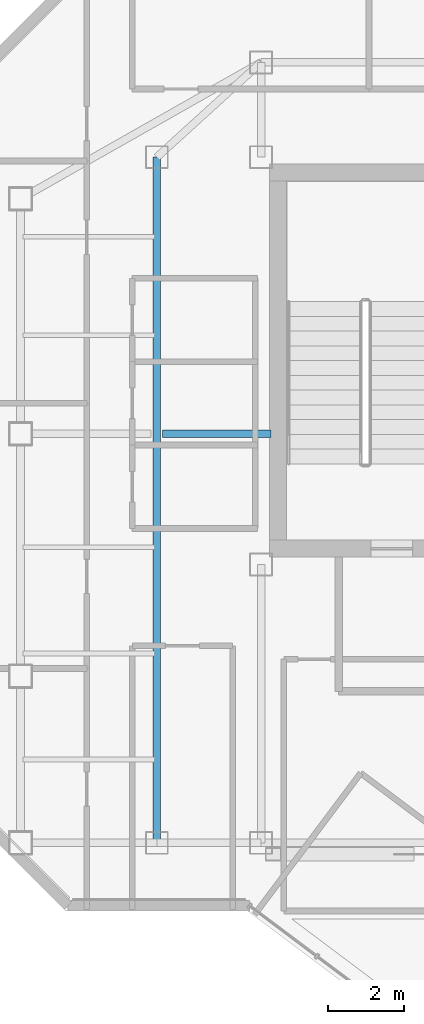
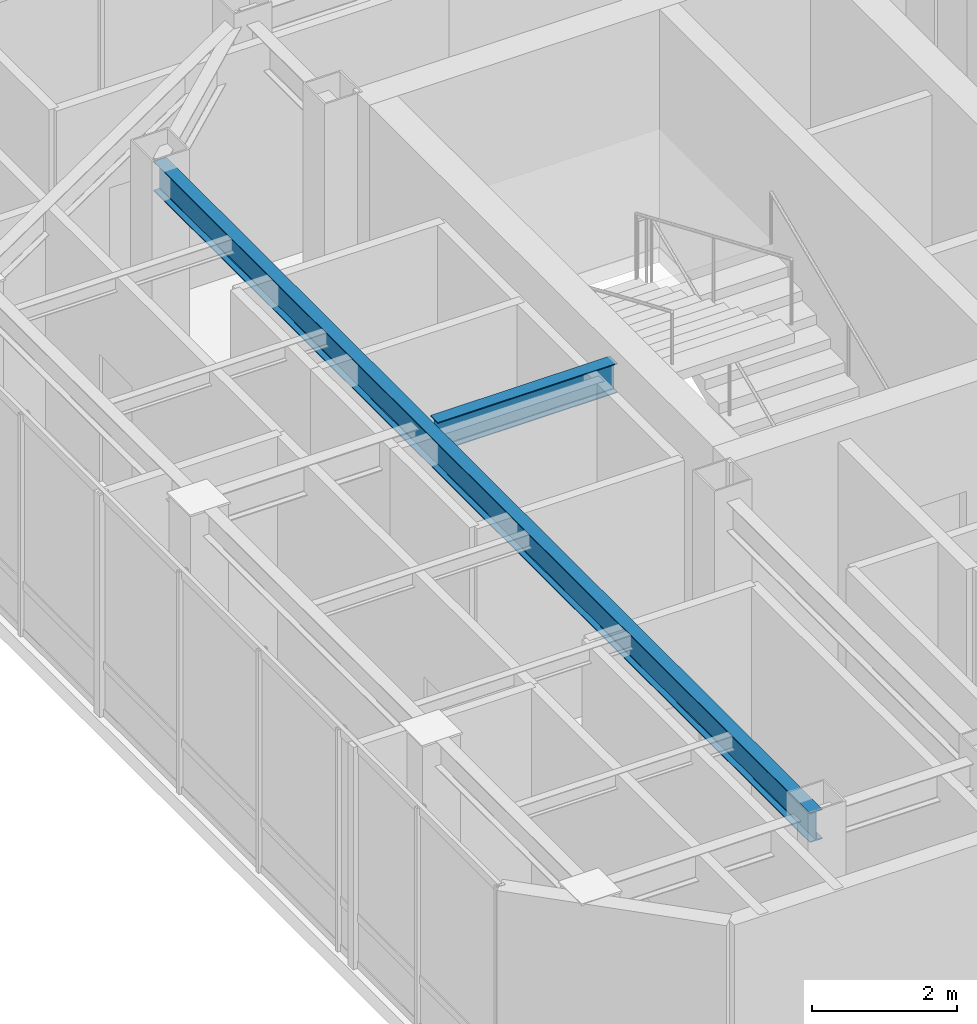
# One storey, part 15 of 31: 2 beams.
"""IFC4 building model written with IfcOpenShell, lengths in metres."""

from ifc_helpers import new_model, si_unit, direction, frame, origin, origin_2d, place, context, subcontext, project, spatial, i_section, extrude, material, material_profile, profile_set, type_object, element, save


model = new_model("IFC4")

# Units and contexts
model_context = context("Model", 3, precision=1e-05, world=origin(), true_north=direction((0.0, 1.0)))
body_context = subcontext(model_context, "Body", "Model", "MODEL_VIEW")
ifc_project = project(units=[si_unit("LENGTHUNIT", "METRE"), si_unit("AREAUNIT", "SQUARE_METRE"), si_unit("VOLUMEUNIT", "CUBIC_METRE"), si_unit("PLANEANGLEUNIT", "RADIAN"), si_unit("MASSUNIT", "GRAM", prefix="KILO")], contexts=[model_context])

# Site, building, storey
site_placement = place(None, origin())
site = spatial("IfcSite", under=ifc_project, at=site_placement, CompositionType="ELEMENT")
building_placement = place(site_placement, origin())
building = spatial("IfcBuilding", under=site, at=building_placement, Name="Hatsunagi Terrace Concourse", CompositionType="ELEMENT")
storey_placement = place(building_placement, frame((0.0, 0.0, 269.949951171875)))
storey = spatial("IfcBuildingStorey", under=building, at=storey_placement, Name="L71", CompositionType="ELEMENT", Elevation=269.949951171875)

# Beams
ifc_material = material(Name="Steel SN490B", Category="steel")
ifc_material_profile = material_profile(ifc_material, i_section(OverallWidth=0.199951171875, OverallDepth=0.5, WebThickness=0.010009765625, FlangeThickness=0.01611328125, FilletRadius=0.01611328125, at=origin_2d()), Name="H-500x200x10x16")
ifc_profile_set = profile_set([ifc_material_profile], Name="Steel SN490B")
beam_type = type_object("IfcBeamType", Name="CrownFloorGirder_H_500x200", PredefinedType="BEAM", material=ifc_profile_set)
beam_1_placement = place(storey_placement, frame((22.800048828125, 25.199951171875, 3.5), z_axis=(0.0, 1.0, 0.0), x_axis=(-1.0, 0.0, 0.0)))
element("IfcBeam", 1, at=beam_1_placement, inside=storey, type_object=beam_type, Name="Beam G-07 BM-L71-CWNS", PredefinedType="BEAM", context=body_context, shape_type="SweptSolid", body=[
    extrude(i_section(OverallWidth=0.199951171875, OverallDepth=0.5, WebThickness=0.010009765625, FlangeThickness=0.01611328125, FilletRadius=0.01611328125, at=origin_2d()), origin(), (0.0, 0.0, 1.0), 18.10009765625),
])
beam_2_placement = place(storey_placement, frame((22.949951171875, 36.0, 3.5), z_axis=(1.0, 0.0, 0.0), x_axis=(0.0, 1.0, 0.0)))
element("IfcBeam", 2, at=beam_2_placement, inside=storey, type_object=beam_type, Name="Beam G-07 BM-L71-EW-4", PredefinedType="BEAM", context=body_context, shape_type="SweptSolid", body=[
    extrude(i_section(OverallWidth=0.199951171875, OverallDepth=0.5, WebThickness=0.010009765625, FlangeThickness=0.01611328125, FilletRadius=0.01611328125, at=origin_2d()), origin(), (0.0, 0.0, 1.0), 2.860107421875),
])

save(model, "model.ifc")
